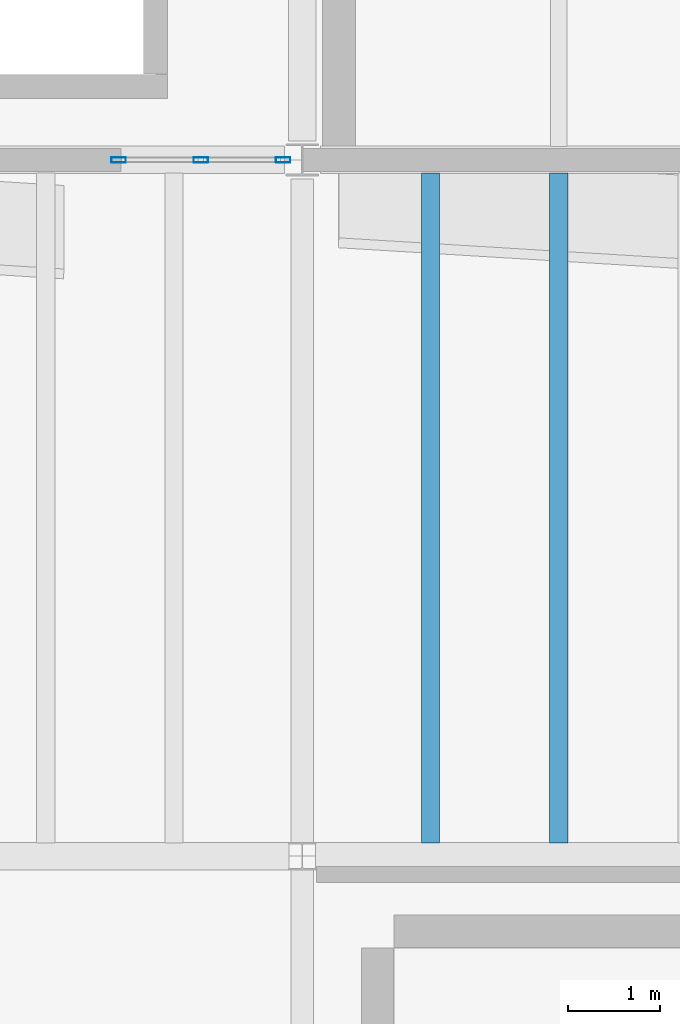
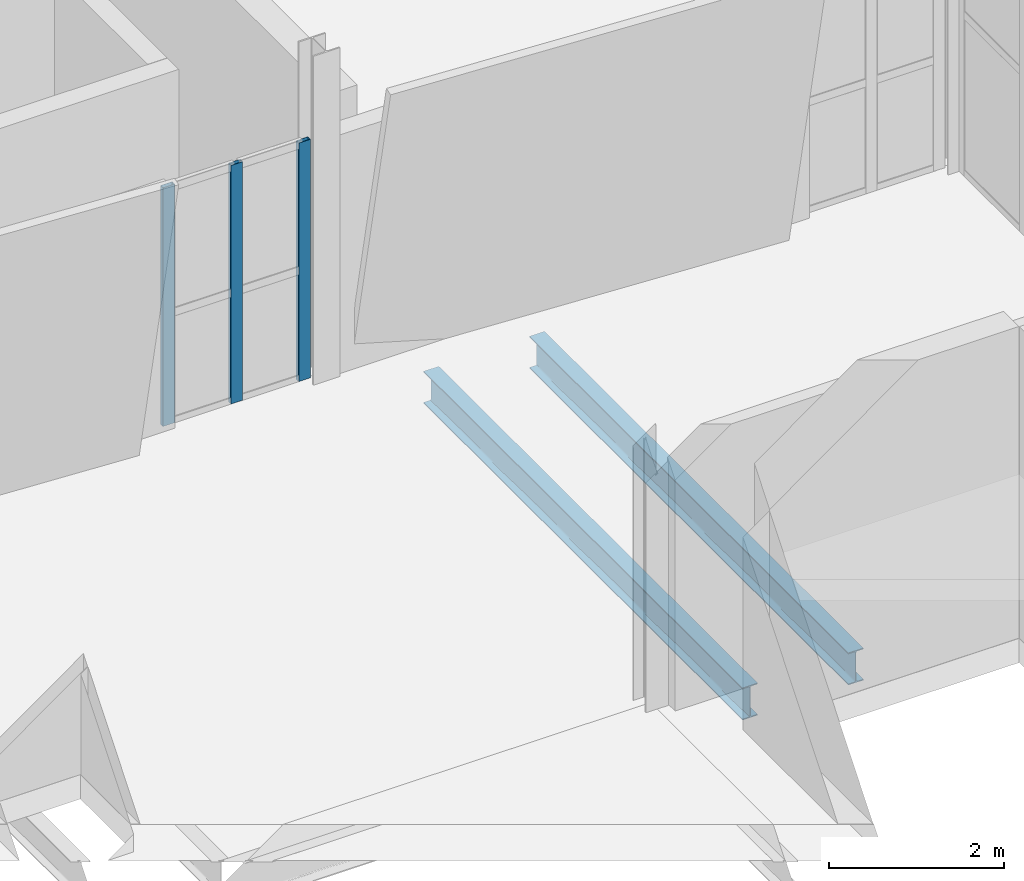
# One storey, part 23 of 172: 3 members, 2 beams, 1 element without a shape of its own.
"""IFC4 building model written with IfcOpenShell, lengths in metres."""

from ifc_helpers import new_model, si_unit, direction, frame, origin, origin_2d, place, context, subcontext, project, spatial, hollow_rectangle, i_section, extrude, material, material_profile, profile_set, type_object, element, aggregate, save


model = new_model("IFC4")

# Units and contexts
model_context = context("Model", 3, precision=1e-05, world=origin(), true_north=direction((0.0, 1.0)))
body_context = subcontext(model_context, "Body", "Model", "MODEL_VIEW")
ifc_project = project(units=[si_unit("LENGTHUNIT", "METRE"), si_unit("AREAUNIT", "SQUARE_METRE"), si_unit("VOLUMEUNIT", "CUBIC_METRE"), si_unit("PLANEANGLEUNIT", "RADIAN"), si_unit("MASSUNIT", "GRAM", prefix="KILO")], contexts=[model_context])

# Site, building, storey
site_placement = place(None, origin())
site = spatial("IfcSite", under=ifc_project, at=site_placement, CompositionType="ELEMENT")
building_placement = place(site_placement, origin())
building = spatial("IfcBuilding", under=site, at=building_placement, Name="Shengluoqiao Park Theatre", CompositionType="ELEMENT")
storey_placement = place(building_placement, frame((0.0, 0.0, 5.39990234375)))
storey = spatial("IfcBuildingStorey", under=building, at=storey_placement, Name="L01", CompositionType="ELEMENT", Elevation=5.39990234375)

# Curtain wall, members
ifc_material_1 = material(Name="Aluminium 6063-T6", Category="aluminium")
curtain_wall_type = type_object("IfcCurtainWallType", Name="ENV-CW-STUDIO", PredefinedType="NOTDEFINED", material=ifc_material_1)
curtain_wall_placement = place(storey_placement, origin())
curtain_wall = element("IfcCurtainWall", 1, at=curtain_wall_placement, inside=storey, type_object=curtain_wall_type, Name="L01 Curtain Wall CWX-L01-0018", PredefinedType="NOTDEFINED")
ifc_material_profile_1 = material_profile(ifc_material_1, hollow_rectangle(XDim=0.06005859375, YDim=0.159912109375, WallThickness=0.00390625, InnerFilletRadius=0.00390625, OuterFilletRadius=0.008056640625, at=origin_2d()), Name="ALU MULLION 160x60x4")
ifc_profile_set_1 = profile_set([ifc_material_profile_1], Name="Aluminium 6063-T6")
member_type = type_object("IfcMemberType", Name="ENV-MUL-160", PredefinedType="MULLION", material=ifc_profile_set_1)
member_1_placement = place(storey_placement, frame((25.595947265625, 30.39990234375, 0.0), z_axis=(0.0, 0.0, 1.0), x_axis=(0.0, 1.0, 0.0)))
member_1 = element("IfcMember", 2, at=member_1_placement, type_object=member_type, Name="CW-02 mullion 1", PredefinedType="MULLION", context=body_context, shape_type="SweptSolid", body=[
    extrude(hollow_rectangle(XDim=0.06005859375, YDim=0.159912109375, WallThickness=0.00390625, InnerFilletRadius=0.00390625, OuterFilletRadius=0.008056640625, at=origin_2d()), origin(), (0.0, 0.0, 1.0), 3.338134765625),
])
member_2_placement = place(storey_placement, frame((26.493408203125, 30.39990234375, 0.0), z_axis=(0.0, 0.0, 1.0), x_axis=(0.0, 1.0, 0.0)))
member_2 = element("IfcMember", 3, at=member_2_placement, type_object=member_type, Name="CW-02 mullion 2", PredefinedType="MULLION", context=body_context, shape_type="SweptSolid", body=[
    extrude(hollow_rectangle(XDim=0.06005859375, YDim=0.159912109375, WallThickness=0.00390625, InnerFilletRadius=0.00390625, OuterFilletRadius=0.008056640625, at=origin_2d()), origin(), (0.0, 0.0, 1.0), 3.338134765625),
])
member_3_placement = place(storey_placement, frame((27.39111328125, 30.39990234375, 0.0), z_axis=(0.0, 0.0, 1.0), x_axis=(0.0, 1.0, 0.0)))
member_3 = element("IfcMember", 4, at=member_3_placement, type_object=member_type, Name="CW-02 mullion 3", PredefinedType="MULLION", context=body_context, shape_type="SweptSolid", body=[
    extrude(hollow_rectangle(XDim=0.06005859375, YDim=0.159912109375, WallThickness=0.00390625, InnerFilletRadius=0.00390625, OuterFilletRadius=0.008056640625, at=origin_2d()), origin(), (0.0, 0.0, 1.0), 3.338134765625),
])
aggregate(curtain_wall, [member_1, member_2, member_3])

# Beams
ifc_material_2 = material(Name="Steel Q355", Category="steel")
ifc_material_profile_2 = material_profile(ifc_material_2, i_section(OverallWidth=0.199951171875, OverallDepth=0.449951171875, WebThickness=0.009033203125, FlangeThickness=0.013916015625, FilletRadius=0.01611328125, at=origin_2d()), Name="HN 450x200x9x14")
ifc_profile_set_2 = profile_set([ifc_material_profile_2], Name="Steel Q355")
beam_type = type_object("IfcBeamType", Name="STR-BM-J-HN450", PredefinedType="JOIST", material=ifc_profile_set_2)
for number, where, z_axis, x_axis, name in (
    (5, (29.0, 22.945068359375, -0.56494140625), (0.0, 1.0, 0.0), (-1.0, 0.0, 0.0), "L01 Composite Joist 00452"),
    (6, (30.39990234375, 22.945068359375, -0.56494140625), (0.0, 1.0, 0.0), (-1.0, 0.0, 0.0), "L01 Composite Joist 00453"),
):
    element("IfcBeam", number, at=place(storey_placement, frame(where, z_axis=z_axis, x_axis=x_axis)), inside=storey, type_object=beam_type, Name=name, PredefinedType="JOIST", context=body_context, shape_type="SweptSolid", body=[
        extrude(i_section(OverallWidth=0.199951171875, OverallDepth=0.449951171875, WebThickness=0.009033203125, FlangeThickness=0.013916015625, FilletRadius=0.01611328125, at=origin_2d()), origin(), (0.0, 0.0, 1.0), 7.309814453125),
    ])

save(model, "model.ifc")
